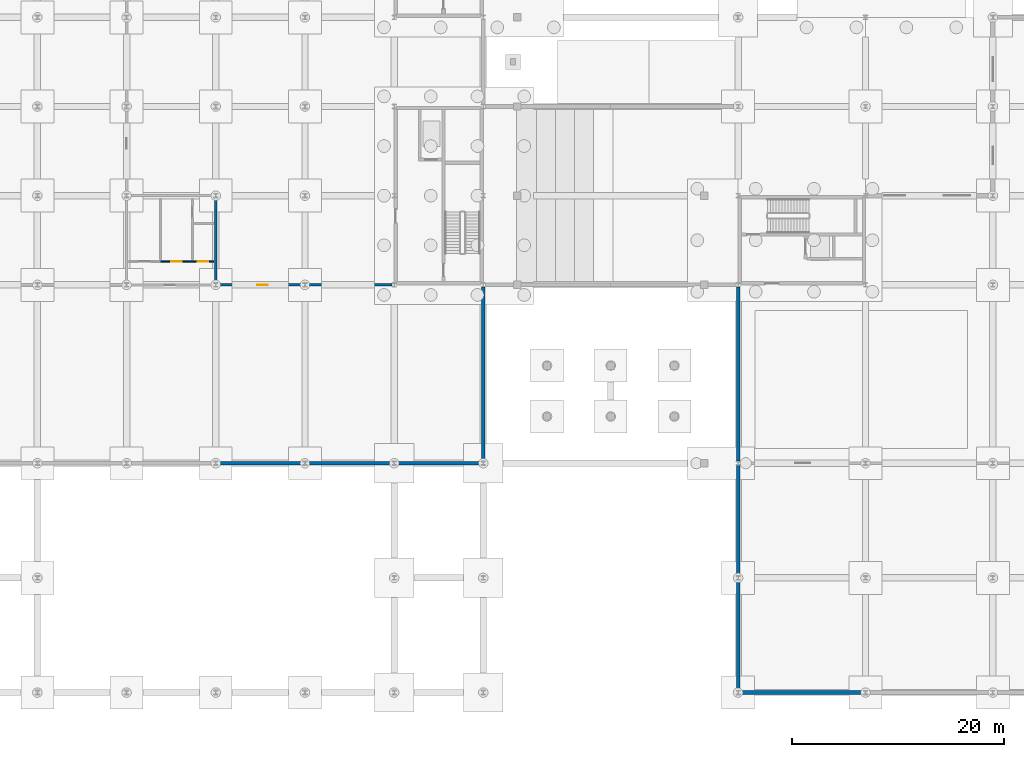
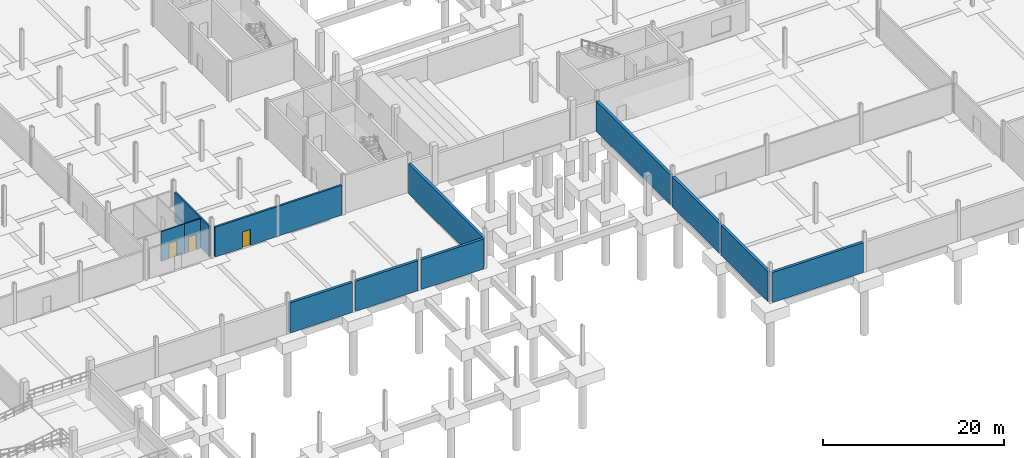
# One storey, part 25 of 36: 12 walls, 3 doors, 3 openings.
"""IFC4 building model written with IfcOpenShell, lengths in metres."""

from ifc_helpers import new_model, si_unit, direction, frame, frame_2d, origin, place, context, subcontext, project, spatial, rectangle, extrude, material, layer, layer_set, type_object, element, fill, save


model = new_model("IFC4")

# Units and contexts
model_context = context("Model", 3, precision=1e-05, world=origin(), true_north=direction((0.0, 1.0)))
body_context = subcontext(model_context, "Body", "Model", "MODEL_VIEW")
ifc_project = project(units=[si_unit("LENGTHUNIT", "METRE"), si_unit("AREAUNIT", "SQUARE_METRE"), si_unit("VOLUMEUNIT", "CUBIC_METRE"), si_unit("PLANEANGLEUNIT", "RADIAN"), si_unit("MASSUNIT", "GRAM", prefix="KILO"), si_unit("THERMODYNAMICTEMPERATUREUNIT", "KELVIN"), si_unit("POWERUNIT", "WATT")], contexts=[model_context])

# Site, building, storey
site_placement = place(None, origin())
site = spatial("IfcSite", under=ifc_project, at=site_placement, CompositionType="ELEMENT")
building_placement = place(site_placement, origin())
building = spatial("IfcBuilding", under=site, at=building_placement, Name="Tembeka Court Mobility Hub", CompositionType="ELEMENT")
storey_placement = place(building_placement, frame((0.0, 0.0, -5.39990234375)))
storey = spatial("IfcBuildingStorey", under=building, at=storey_placement, Name="B1", CompositionType="ELEMENT", Elevation=-5.39990234375)

# Wall, opening, door
ifc_material_1 = material(Name="Concrete C40/50", Category="concrete")
ifc_layer_1 = layer(ifc_material_1, 0.25)
ifc_layer_set_1 = layer_set([ifc_layer_1], Name="Concrete C40/50")
wall_type_1 = type_object("IfcWallType", Name="WL-IW01", PredefinedType="PARTITIONING", material=ifc_layer_set_1)
wall_1_placement = place(storey_placement, frame((67.60009765625, 38.39990234375, 0.0), z_axis=(0.0, 0.0, 1.0), x_axis=(1.0, 0.0, 0.0)))
wall_1 = element("IfcWall", 1, at=wall_1_placement, inside=storey, type_object=wall_type_1, Name="Wall IW01 (IW-B1-0417)", PredefinedType="PARTITIONING", context=body_context, shape_type="SweptSolid", body=[
    extrude(rectangle(XDim=16.199951171875, YDim=0.25, at=frame_2d((8.10009765625, 0.0))), origin(), (0.0, 0.0, 1.0), 4.02490234375),
])
opening_1_placement = place(wall_1_placement, frame((3.5, 0.0, 0.0)))
opening_1 = element("IfcOpeningElement", 2, at=opening_1_placement, cuts=wall_1, Name="Opening FD05", PredefinedType="OPENING", context=body_context, shape_type="SweptSolid", body=[
    extrude(rectangle(XDim=1.0, YDim=2.14990234375, at=frame_2d((0.5, 1.074951171875))), frame((0.0, 0.135009765625, 0.0), z_axis=(0.0, -1.0, 0.0), x_axis=(1.0, 0.0, 0.0)), (0.0, 0.0, 1.0), 0.27001953125),
])
ifc_material_2 = material(Name="Galvanised steel fire/shutter doorset", Category="steel")
door_type_1 = type_object("IfcDoorType", Name="DR-FD05", OperationType="NOTDEFINED", PredefinedType="DOOR", material=ifc_material_2)
door_1_placement = place(opening_1_placement, origin())
door_1 = element("IfcDoor", 3, at=door_1_placement, inside=storey, type_object=door_type_1, Name="Door FD05-0191", OperationType="SINGLE_SWING_LEFT", OverallHeight=2.14990234375, OverallWidth=1.0, PredefinedType="DOOR", context=body_context, shape_type="SweptSolid", body=[
    extrude(rectangle(XDim=1.0, YDim=2.14990234375, at=frame_2d((0.5, 1.074951171875))), frame((0.0, 0.02490234375, 0.0), z_axis=(0.0, -1.0, 0.0), x_axis=(1.0, 0.0, 0.0)), (0.0, 0.0, 1.0), 0.050048828125),
])
fill(opening_1, door_1)

# Wall
ifc_material_3 = material(Name="Concrete blockwork masonry", Category="masonry")
ifc_layer_2 = layer(ifc_material_3, 0.199951171875)
ifc_layer_set_2 = layer_set([ifc_layer_2], Name="Concrete blockwork masonry")
wall_type_2 = type_object("IfcWallType", Name="WL-IW02", PredefinedType="PARTITIONING", material=ifc_layer_set_2)
wall_2_placement = place(storey_placement, frame((67.199951171875, 38.800048828125, 0.0), z_axis=(0.0, 0.0, 1.0), x_axis=(0.0, 1.0, 0.0)))
element("IfcWall", 4, at=wall_2_placement, inside=storey, type_object=wall_type_2, Name="Wall IW02 (IW-B1-0339)", PredefinedType="PARTITIONING", context=body_context, shape_type="SweptSolid", body=[
    extrude(rectangle(XDim=7.599853515625, YDim=0.199951171875, at=frame_2d((3.7998046875, 0.0))), origin(), (0.0, 0.0, 1.0), 4.02490234375),
])

# Wall, opening, door
ifc_material_4 = material(Name="Moisture-resistant gypsum partition", Category="masonry")
ifc_layer_3 = layer(ifc_material_4, 0.139892578125)
ifc_layer_set_3 = layer_set([ifc_layer_3], Name="Moisture-resistant gypsum partition")
wall_type_3 = type_object("IfcWallType", Name="WL-IW05", PredefinedType="PARTITIONING", material=ifc_layer_set_3)
wall_3_placement = place(storey_placement, frame((62.0, 40.60009765625, 0.0), z_axis=(0.0, 0.0, 1.0), x_axis=(1.0, 0.0, 0.0)))
wall_3 = element("IfcWall", 5, at=wall_3_placement, inside=storey, type_object=wall_type_3, Name="Wall IW05 (IW-B1-0341)", PredefinedType="PARTITIONING", context=body_context, shape_type="SweptSolid", body=[
    extrude(rectangle(XDim=3.0, YDim=0.139892578125, at=frame_2d((1.5, 0.0))), origin(), (0.0, 0.0, 1.0), 4.02490234375),
])
opening_2_placement = place(wall_3_placement, frame((1.0, 0.0, 0.0)))
opening_2 = element("IfcOpeningElement", 6, at=opening_2_placement, cuts=wall_3, Name="Opening ID02", PredefinedType="OPENING", context=body_context, shape_type="SweptSolid", body=[
    extrude(rectangle(XDim=1.0, YDim=2.10009765625, at=frame_2d((0.5, 1.050048828125))), frame((0.0, 0.080078125, 0.0), z_axis=(0.0, -1.0, 0.0), x_axis=(1.0, 0.0, 0.0)), (0.0, 0.0, 1.0), 0.159912109375),
])
ifc_material_5 = material(Name="Powder-coated aluminium glazed doorset", Category="aluminium")
door_type_2 = type_object("IfcDoorType", Name="DR-ID02", OperationType="NOTDEFINED", PredefinedType="DOOR", material=ifc_material_5)
door_2_placement = place(opening_2_placement, origin())
door_2 = element("IfcDoor", 7, at=door_2_placement, inside=storey, type_object=door_type_2, Name="B1 female WC door", OperationType="SINGLE_SWING_LEFT", OverallHeight=2.10009765625, OverallWidth=1.0, PredefinedType="DOOR", context=body_context, shape_type="SweptSolid", body=[
    extrude(rectangle(XDim=1.0, YDim=2.10009765625, at=frame_2d((0.5, 1.050048828125))), frame((0.0, 0.02490234375, 0.0), z_axis=(0.0, -1.0, 0.0), x_axis=(1.0, 0.0, 0.0)), (0.0, 0.0, 1.0), 0.050048828125),
])
fill(opening_2, door_2)

wall_4_placement = place(storey_placement, frame((65.0, 40.60009765625, 0.0), z_axis=(0.0, 0.0, 1.0), x_axis=(1.0, 0.0, 0.0)))
wall_4 = element("IfcWall", 8, at=wall_4_placement, inside=storey, type_object=wall_type_3, Name="Wall IW05 (IW-B1-0342)", PredefinedType="PARTITIONING", context=body_context, shape_type="SweptSolid", body=[
    extrude(rectangle(XDim=2.0, YDim=0.139892578125, at=frame_2d((1.0, 0.0))), origin(), (0.0, 0.0, 1.0), 4.02490234375),
])
opening_3_placement = place(wall_4_placement, frame((0.5, 0.0, 0.0)))
opening_3 = element("IfcOpeningElement", 9, at=opening_3_placement, cuts=wall_4, Name="Opening ID02", PredefinedType="OPENING", context=body_context, shape_type="SweptSolid", body=[
    extrude(rectangle(XDim=1.0, YDim=2.10009765625, at=frame_2d((0.5, 1.050048828125))), frame((0.0, 0.080078125, 0.0), z_axis=(0.0, -1.0, 0.0), x_axis=(1.0, 0.0, 0.0)), (0.0, 0.0, 1.0), 0.159912109375),
])
door_3_placement = place(opening_3_placement, origin())
door_3 = element("IfcDoor", 10, at=door_3_placement, inside=storey, type_object=door_type_2, Name="B1 accessible unisex WC door", OperationType="SINGLE_SWING_RIGHT", OverallHeight=2.10009765625, OverallWidth=1.0, PredefinedType="DOOR", context=body_context, shape_type="SweptSolid", body=[
    extrude(rectangle(XDim=1.0, YDim=2.10009765625, at=frame_2d((0.5, 1.050048828125))), frame((0.0, 0.02490234375, 0.0), z_axis=(0.0, -1.0, 0.0), x_axis=(1.0, 0.0, 0.0)), (0.0, 0.0, 1.0), 0.050048828125),
])
fill(opening_3, door_3)

# Walls
ifc_layer_4 = layer(ifc_material_1, 0.340087890625)
ifc_layer_set_4 = layer_set([ifc_layer_4], Name="Concrete C40/50")
wall_type_4 = type_object("IfcWallType", Name="WL-RW01", PredefinedType="USERDEFINED", material=ifc_layer_set_4)
wall_5_placement = place(storey_placement, frame((67.3974609375, 21.60009765625, 0.0), z_axis=(0.0, 0.0, 1.0), x_axis=(1.0, 0.0, 0.0)))
element("IfcWall", 11, at=wall_5_placement, inside=storey, type_object=wall_type_4, Name="External wall RW01 (EW-B1-0017)", ObjectType="RETAININGWALL", PredefinedType="USERDEFINED", context=body_context, shape_type="SweptSolid", body=[
    extrude(rectangle(XDim=8.005126953125, YDim=0.340087890625, at=frame_2d((4.00244140625, 0.0))), origin(), (0.0, 0.0, 1.0), 4.059814453125),
])
for number, where, z_axis, x_axis, name in (
    (12, (75.797607421875, 21.60009765625, 0.0), (0.0, 0.0, 1.0), (1.0, 0.0, 0.0), "External wall RW01 (EW-B1-0019)"),
    (13, (84.197509765625, 21.60009765625, 0.0), (0.0, 0.0, 1.0), (1.0, 0.0, 0.0), "External wall RW01 (EW-B1-0021)"),
):
    element("IfcWall", number, at=place(storey_placement, frame(where, z_axis=z_axis, x_axis=x_axis)), inside=storey, type_object=wall_type_4, Name=name, ObjectType="RETAININGWALL", PredefinedType="USERDEFINED", context=body_context, shape_type="SweptSolid", body=[
        extrude(rectangle(XDim=8.0048828125, YDim=0.340087890625, at=frame_2d((4.00244140625, 0.0))), origin(), (0.0, 0.0, 1.0), 4.059814453125),
    ])
wall_6_placement = place(storey_placement, frame((92.39990234375, 21.794921875, 0.0), z_axis=(0.0, 0.0, 1.0), x_axis=(0.0, 1.0, 0.0)))
element("IfcWall", 14, at=wall_6_placement, inside=storey, type_object=wall_type_4, Name="External wall RW01 (EW-B1-0032)", ObjectType="RETAININGWALL", PredefinedType="USERDEFINED", context=body_context, shape_type="SweptSolid", body=[
    extrude(rectangle(XDim=16.41015625, YDim=0.340087890625, at=frame_2d((8.205078125, 0.0))), origin(), (0.0, 0.0, 1.0), 4.059814453125),
])
wall_7_placement = place(storey_placement, frame((116.595458984375, 0.0, 0.0), z_axis=(0.0, 0.0, 1.0), x_axis=(1.0, 0.0, 0.0)))
element("IfcWall", 15, at=wall_7_placement, inside=storey, type_object=wall_type_4, Name="External wall RW01 (EW-B1-0041)", ObjectType="RETAININGWALL", PredefinedType="USERDEFINED", context=body_context, shape_type="SweptSolid", body=[
    extrude(rectangle(XDim=11.609130859375, YDim=0.340087890625, at=frame_2d((5.8046875, 0.0))), origin(), (0.0, 0.0, 1.0), 4.059814453125),
])
for number, where, z_axis, x_axis, name in (
    (16, (116.39990234375, 0.1884765625, 0.0), (0.0, 0.0, 1.0), (0.0, 1.0, 0.0), "External wall RW01 (EW-B1-0054)"),
    (17, (116.39990234375, 10.988525390625, 0.0), (0.0, 0.0, 1.0), (0.0, 1.0, 0.0), "External wall RW01 (EW-B1-0055)"),
):
    element("IfcWall", number, at=place(storey_placement, frame(where, z_axis=z_axis, x_axis=x_axis)), inside=storey, type_object=wall_type_4, Name=name, ObjectType="RETAININGWALL", PredefinedType="USERDEFINED", context=body_context, shape_type="SweptSolid", body=[
        extrude(rectangle(XDim=10.423095703125, YDim=0.340087890625, at=frame_2d((5.21142578125, 0.0))), origin(), (0.0, 0.0, 1.0), 4.059814453125),
    ])
wall_8_placement = place(storey_placement, frame((116.39990234375, 21.78857421875, 0.0), z_axis=(0.0, 0.0, 1.0), x_axis=(0.0, 1.0, 0.0)))
element("IfcWall", 18, at=wall_8_placement, inside=storey, type_object=wall_type_4, Name="External wall RW01 (EW-B1-0056)", ObjectType="RETAININGWALL", PredefinedType="USERDEFINED", context=body_context, shape_type="SweptSolid", body=[
    extrude(rectangle(XDim=16.429443359375, YDim=0.340087890625, at=frame_2d((8.21484375, 0.0))), origin(), (0.0, 0.0, 1.0), 4.059814453125),
])

save(model, "model.ifc")
